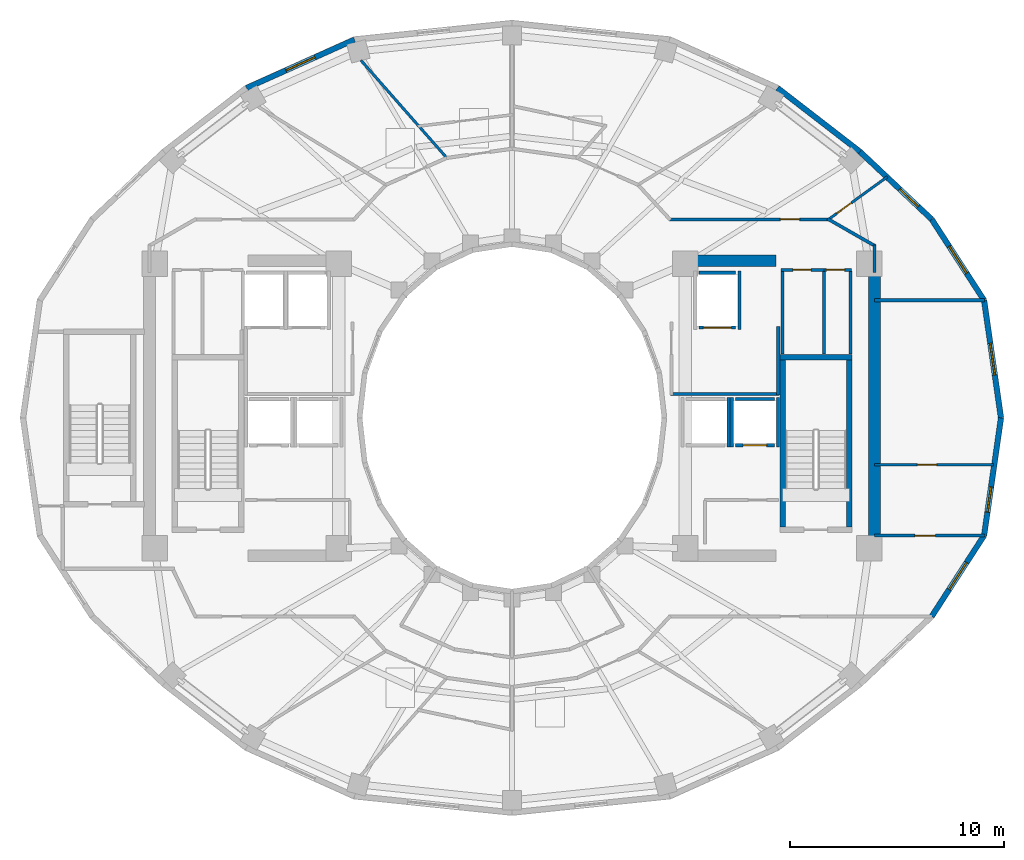
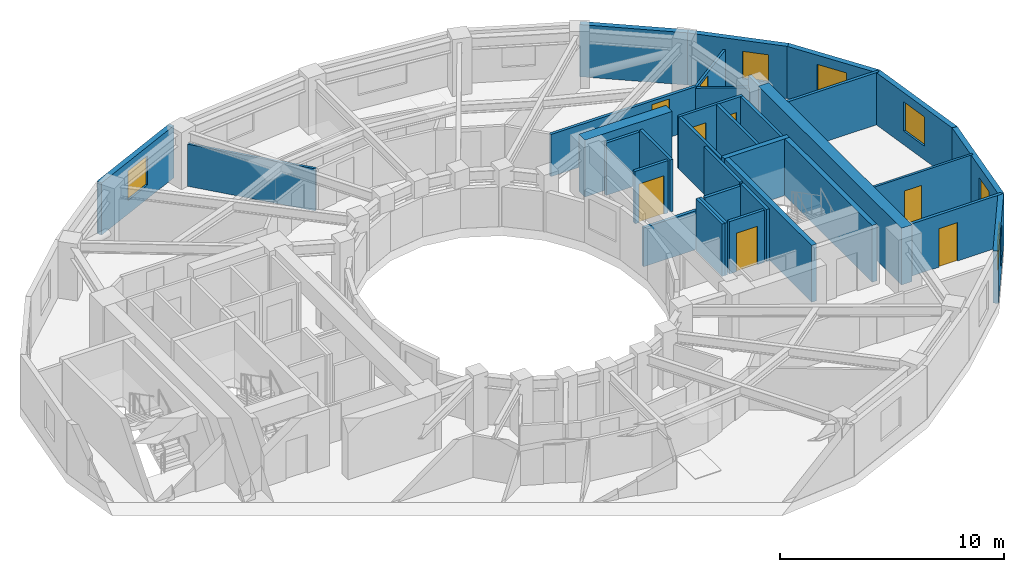
# One storey, part 6 of 9: 35 walls, 8 doors, 6 windows, 14 openings.
"""IFC4 building model written with IfcOpenShell, lengths in metres."""

from ifc_helpers import new_model, si_unit, direction, frame, frame_2d, origin, place, context, subcontext, project, spatial, rectangle, extrude, material, layer, layer_set, type_object, element, fill, save


model = new_model("IFC4")

# Units and contexts
model_context = context("Model", 3, precision=1e-05, world=origin(), true_north=direction((0.0, 1.0)))
body_context = subcontext(model_context, "Body", "Model", "MODEL_VIEW")
ifc_project = project(units=[si_unit("LENGTHUNIT", "METRE"), si_unit("AREAUNIT", "SQUARE_METRE"), si_unit("VOLUMEUNIT", "CUBIC_METRE"), si_unit("PLANEANGLEUNIT", "RADIAN"), si_unit("MASSUNIT", "GRAM", prefix="KILO")], contexts=[model_context])

# Site, building, storey
site_placement = place(None, origin())
site = spatial("IfcSite", under=ifc_project, at=site_placement, CompositionType="ELEMENT")
building_placement = place(site_placement, origin())
building = spatial("IfcBuilding", under=site, at=building_placement, Name="Solvane Sanctuary Tower", CompositionType="ELEMENT")
storey_placement = place(building_placement, frame((0.0, 0.0, 180.800048828125)))
storey = spatial("IfcBuildingStorey", under=building, at=storey_placement, Name="L55", CompositionType="ELEMENT", Elevation=180.800048828125)

# Walls
ifc_material_1 = material(Name="Concrete C50/60", Category="concrete")
ifc_layer_1 = layer(ifc_material_1, 0.550048828125, Name="Concrete C50/60")
ifc_layer_set_1 = layer_set([ifc_layer_1], Name="Concrete C50/60")
wall_type_1 = type_object("IfcWallType", Name="Wall W-CORE-550", PredefinedType="SHEAR", material=ifc_layer_set_1)
wall_1_placement = place(storey_placement, frame((48.949951171875, 17.050048828125, 0.0), z_axis=(0.0, 0.0, 1.0), x_axis=(0.0, 1.0, 0.0)))
element("IfcWall", 1, at=wall_1_placement, inside=storey, type_object=wall_type_1, Name="L55 Core Shear Wall EC-E", PredefinedType="SHEAR", context=body_context, shape_type="SweptSolid", body=[
    extrude(rectangle(XDim=12.800048828125, YDim=0.550048828125, at=frame_2d((6.39990234375, 0.0))), origin(), (0.0, 0.0, 1.0), 3.099853515625),
])
wall_2_placement = place(storey_placement, frame((39.85009765625, 30.35009765625, 0.0), z_axis=(0.0, 0.0, 1.0), x_axis=(1.0, 0.0, 0.0)))
element("IfcWall", 2, at=wall_2_placement, inside=storey, type_object=wall_type_1, Name="L55 Core Shear Wall EC-N", PredefinedType="SHEAR", context=body_context, shape_type="SweptSolid", body=[
    extrude(rectangle(XDim=4.5, YDim=0.550048828125, at=frame_2d((2.25, 0.0))), origin(), (0.0, 0.0, 1.0), 3.099853515625),
])
ifc_material_2 = material(Name="Acoustic Gypsum Partition Board")
ifc_layer_2 = layer(ifc_material_2, 0.14990234375, Name="Acoustic Gypsum Partition Board")
ifc_layer_set_2 = layer_set([ifc_layer_2], Name="Acoustic Gypsum Partition Board")
wall_type_2 = type_object("IfcWallType", Name="Wall W-CORR-150", PredefinedType="PARTITIONING", material=ifc_layer_set_2)
wall_3_placement = place(storey_placement, frame((39.39990234375, 24.1201171875, 0.0), z_axis=(0.0, 0.0, 1.0), x_axis=(1.0, 0.0, 0.0)))
element("IfcWall", 3, at=wall_3_placement, inside=storey, type_object=wall_type_2, Name="L55 East Firefighting Lobby South Wall", PredefinedType="PARTITIONING", context=body_context, shape_type="SweptSolid", body=[
    extrude(rectangle(XDim=5.080078125, YDim=0.14990234375, at=frame_2d((2.5400390625, 0.0))), origin(), (0.0, 0.0, 1.0), 2.119873046875),
])
wall_4_placement = place(storey_placement, frame((44.449951171875, 24.080078125, 0.0), z_axis=(0.0, 0.0, 1.0), x_axis=(0.0, 1.0, 0.0)))
element("IfcWall", 4, at=wall_4_placement, inside=storey, type_object=wall_type_2, Name="L55 East Firefighting Lobby East Wall", PredefinedType="PARTITIONING", context=body_context, shape_type="SweptSolid", body=[
    extrude(rectangle(XDim=3.199951171875, YDim=0.14990234375, at=frame_2d((1.60009765625, 0.0))), origin(), (0.0, 0.0, 1.0), 2.85498046875),
])

# Wall, opening, door
wall_5_placement = place(storey_placement, frame((48.949951171875, 17.4970703125, 0.0), z_axis=(0.0, 0.0, 1.0), x_axis=(1.0, 0.0, 0.0)))
wall_5 = element("IfcWall", 5, at=wall_5_placement, inside=storey, type_object=wall_type_2, Name="L55 East Shoulder South Wall", PredefinedType="PARTITIONING", context=body_context, shape_type="SweptSolid", body=[
    extrude(rectangle(XDim=5.14013671875, YDim=0.14990234375, at=frame_2d((2.570068359375, 0.0))), origin(), (0.0, 0.0, 1.0), 2.85498046875),
])
opening_1_placement = place(wall_5_placement, frame((1.888671875, 0.0, 0.0)))
opening_1 = element("IfcOpeningElement", 6, at=opening_1_placement, cuts=wall_5, Name="Opening D-L55-12", PredefinedType="OPENING", context=body_context, shape_type="SweptSolid", body=[
    extrude(rectangle(XDim=0.949951171875, YDim=2.10009765625, at=frame_2d((0.47509765625, 1.050048828125))), frame((0.0, 0.0849609375, 0.0), z_axis=(0.0, -1.0, 0.0), x_axis=(1.0, 0.0, 0.0)), (0.0, 0.0, 1.0), 0.169921875),
])
ifc_material_3 = material(Name="Engineered Tropical Hardwood", Category="wood")
door_type_1 = type_object("IfcDoorType", Name="Door D-ROOM-950", OperationType="NOTDEFINED", PredefinedType="DOOR", material=ifc_material_3)
door_1_placement = place(opening_1_placement, origin())
door_1 = element("IfcDoor", 7, at=door_1_placement, inside=storey, type_object=door_type_1, Name="L55 East Shoulder South Door", OperationType="SINGLE_SWING_RIGHT", OverallHeight=2.10009765625, OverallWidth=0.949951171875, PredefinedType="DOOR", context=body_context, shape_type="SweptSolid", body=[
    extrude(rectangle(XDim=0.949951171875, YDim=2.10009765625, at=frame_2d((0.47509765625, 1.050048828125))), frame((0.0, 0.02490234375, 0.0), z_axis=(0.0, -1.0, 0.0), x_axis=(1.0, 0.0, 0.0)), (0.0, 0.0, 1.0), 0.050048828125),
])
fill(opening_1, door_1)

# Walls
wall_6_placement = place(storey_placement, frame((48.949951171875, 28.5029296875, 0.0), z_axis=(0.0, 0.0, 1.0), x_axis=(1.0, 0.0, 0.0)))
element("IfcWall", 8, at=wall_6_placement, inside=storey, type_object=wall_type_2, Name="L55 East Shoulder North Wall", PredefinedType="PARTITIONING", context=body_context, shape_type="SweptSolid", body=[
    extrude(rectangle(XDim=5.14013671875, YDim=0.14990234375, at=frame_2d((2.570068359375, 0.0))), origin(), (0.0, 0.0, 1.0), 2.85498046875),
])
wall_7_placement = place(storey_placement, frame((48.949951171875, 29.800048828125, 0.0), z_axis=(0.0, 0.0, 1.0), x_axis=(0.0, 1.0, 0.0)))
element("IfcWall", 9, at=wall_7_placement, inside=storey, type_object=wall_type_2, Name="L55 NE Corner Closer 1", PredefinedType="PARTITIONING", context=body_context, shape_type="SweptSolid", body=[
    extrude(rectangle(XDim=1.2900390625, YDim=0.14990234375, at=frame_2d((0.64501953125, 0.0))), origin(), (0.0, 0.0, 1.0), 2.85498046875),
])

# Wall, opening, door
wall_8_placement = place(storey_placement, frame((39.330078125, 32.280029296875, 0.0), z_axis=(0.0, 0.0, 1.0), x_axis=(1.0, 0.0, 0.0)))
wall_8 = element("IfcWall", 10, at=wall_8_placement, inside=storey, type_object=wall_type_2, Name="L55 NE Corner Corridor Wall", PredefinedType="PARTITIONING", context=body_context, shape_type="SweptSolid", body=[
    extrude(rectangle(XDim=7.52001953125, YDim=0.14990234375, at=frame_2d((3.760009765625, 0.0))), origin(), (0.0, 0.0, 1.0), 2.299072265625),
])
opening_2_placement = place(wall_8_placement, frame((5.219970703125, 0.0, 0.0)))
opening_2 = element("IfcOpeningElement", 11, at=opening_2_placement, cuts=wall_8, Name="Opening D-L55-15", PredefinedType="OPENING", context=body_context, shape_type="SweptSolid", body=[
    extrude(rectangle(XDim=0.89990234375, YDim=2.10009765625, at=frame_2d((0.449951171875, 1.050048828125))), frame((0.0, 0.0849609375, 0.0), z_axis=(0.0, -1.0, 0.0), x_axis=(1.0, 0.0, 0.0)), (0.0, 0.0, 1.0), 0.169921875),
])
door_type_2 = type_object("IfcDoorType", Name="Door D-WET-900", OperationType="NOTDEFINED", PredefinedType="DOOR", material=ifc_material_3)
door_2_placement = place(opening_2_placement, origin())
door_2 = element("IfcDoor", 12, at=door_2_placement, inside=storey, type_object=door_type_2, Name="L55 NE Corner Salon Door", OperationType="SINGLE_SWING_LEFT", OverallHeight=2.10009765625, OverallWidth=0.89990234375, PredefinedType="DOOR", context=body_context, shape_type="SweptSolid", body=[
    extrude(rectangle(XDim=0.89990234375, YDim=2.10009765625, at=frame_2d((0.449951171875, 1.050048828125))), frame((0.0, 0.02490234375, 0.0), z_axis=(0.0, -1.0, 0.0), x_axis=(1.0, 0.0, 0.0)), (0.0, 0.0, 1.0), 0.050048828125),
])
fill(opening_2, door_2)

# Wall
wall_9_placement = place(storey_placement, frame((46.756591796875, 32.3046875, 0.0), z_axis=(0.0, 0.0, 1.0), x_axis=(0.867991349648, -0.496579315857, 0.0)))
element("IfcWall", 13, at=wall_9_placement, inside=storey, type_object=wall_type_2, Name="L55 NE Corner Wing Wall", PredefinedType="PARTITIONING", context=body_context, shape_type="SweptSolid", body=[
    extrude(rectangle(XDim=2.56689453125, YDim=0.14990234375, at=frame_2d((1.283447265625, 0.0))), origin(), (0.0, 0.0, 1.0), 2.219970703125),
])

# Wall, opening, window
ifc_material_4 = material(Name="Precast concrete C40/50", Category="concrete")
ifc_layer_3 = layer(ifc_material_4, 0.260009765625, Name="Precast concrete C40/50")
ifc_layer_set_3 = layer_set([ifc_layer_3], Name="Precast concrete C40/50")
wall_type_3 = type_object("IfcWallType", Name="Wall W-EXT-250", PredefinedType="STANDARD", material=ifc_layer_set_3)
wall_10_placement = place(storey_placement, frame((54.860107421875, 23.0, 0.0), z_axis=(0.0, 0.0, 1.0), x_axis=(-0.142227632286, 0.989833976288, 0.0)))
wall_10 = element("IfcWall", 14, at=wall_10_placement, inside=storey, type_object=wall_type_3, Name="L55 Ceramic-Printed Facade Wall 00", PredefinedType="STANDARD", context=body_context, shape_type="SweptSolid", body=[
    extrude(rectangle(XDim=5.552978515625, YDim=0.260009765625, at=frame_2d((2.7763671875, 0.0))), origin(), (0.0, 0.0, 1.0), 2.849853515625),
])
opening_3_placement = place(wall_10_placement, frame((2.026611328125, 0.0, 0.75)))
opening_3 = element("IfcOpeningElement", 15, at=opening_3_placement, cuts=wall_10, Name="Opening WN-OPER-1500", PredefinedType="OPENING", context=body_context, shape_type="SweptSolid", body=[
    extrude(rectangle(XDim=1.5, YDim=1.60009765625, at=frame_2d((0.75, 0.800048828125))), frame((0.0, 0.139892578125, 0.0), z_axis=(0.0, -1.0, 0.0), x_axis=(1.0, 0.0, 0.0)), (0.0, 0.0, 1.0), 0.280029296875),
])
ifc_material_5 = material(Name="Dark Ceramic-Fritted Low-E Glass", Category="glass")
window_type_1 = type_object("IfcWindowType", Name="Window WN-OPER-1500", PartitioningType="SINGLE_PANEL", PredefinedType="WINDOW", material=ifc_material_5)
window_1_placement = place(opening_3_placement, origin())
window_1 = element("IfcWindow", 16, at=window_1_placement, inside=storey, type_object=window_type_1, Name="L55 Operable Facade Window 00", OverallHeight=1.60009765625, OverallWidth=1.5, PartitioningType="SINGLE_PANEL", PredefinedType="WINDOW", context=body_context, shape_type="SweptSolid", body=[
    extrude(rectangle(XDim=1.5, YDim=1.60009765625, at=frame_2d((0.75, 0.800048828125))), frame((0.0, 0.030029296875, 0.0), z_axis=(0.0, -1.0, 0.0), x_axis=(1.0, 0.0, 0.0)), (0.0, 0.0, 1.0), 0.06005859375),
])
fill(opening_3, window_1)

wall_11_placement = place(storey_placement, frame((54.0703125, 28.49658203125, 0.0), z_axis=(0.0, 0.0, 1.0), x_axis=(-0.543358984534, 0.839500454989, 0.0)))
wall_11 = element("IfcWall", 17, at=wall_11_placement, inside=storey, type_object=wall_type_3, Name="L55 Ceramic-Printed Facade Wall 01", PredefinedType="STANDARD", context=body_context, shape_type="SweptSolid", body=[
    extrude(rectangle(XDim=4.51123046875, YDim=0.260009765625, at=frame_2d((2.255615234375, 0.0))), origin(), (0.0, 0.0, 1.0), 2.849853515625),
])
opening_4_placement = place(wall_11_placement, frame((1.505615234375, 0.0, 0.75)))
opening_4 = element("IfcOpeningElement", 18, at=opening_4_placement, cuts=wall_11, Name="Opening WN-OPER-1500", PredefinedType="OPENING", context=body_context, shape_type="SweptSolid", body=[
    extrude(rectangle(XDim=1.5, YDim=1.60009765625, at=frame_2d((0.75, 0.800048828125))), frame((0.0, 0.139892578125, 0.0), z_axis=(0.0, -1.0, 0.0), x_axis=(1.0, 0.0, 0.0)), (0.0, 0.0, 1.0), 0.280029296875),
])
window_2_placement = place(opening_4_placement, origin())
window_2 = element("IfcWindow", 19, at=window_2_placement, inside=storey, type_object=window_type_1, Name="L55 Operable Facade Window 01", OverallHeight=1.60009765625, OverallWidth=1.5, PartitioningType="SINGLE_PANEL", PredefinedType="WINDOW", context=body_context, shape_type="SweptSolid", body=[
    extrude(rectangle(XDim=1.5, YDim=1.60009765625, at=frame_2d((0.75, 0.800048828125))), frame((0.0, 0.030029296875, 0.0), z_axis=(0.0, -1.0, 0.0), x_axis=(1.0, 0.0, 0.0)), (0.0, 0.0, 1.0), 0.06005859375),
])
fill(opening_4, window_2)

wall_12_placement = place(storey_placement, frame((51.619140625, 32.28369140625, 0.0), z_axis=(0.0, 0.0, 1.0), x_axis=(-0.727667301037, 0.68593024354, 0.0)))
wall_12 = element("IfcWall", 20, at=wall_12_placement, inside=storey, type_object=wall_type_3, Name="L55 Ceramic-Printed Facade Wall 02", PredefinedType="STANDARD", context=body_context, shape_type="SweptSolid", body=[
    extrude(rectangle(XDim=4.603515625, YDim=0.260009765625, at=frame_2d((2.3017578125, 0.0))), origin(), (0.0, 0.0, 1.0), 2.849853515625),
])
opening_5_placement = place(wall_12_placement, frame((0.8623046875, 0.0, 0.75)))
opening_5 = element("IfcOpeningElement", 21, at=opening_5_placement, cuts=wall_12, Name="Opening WN-OPER-1200", PredefinedType="OPENING", context=body_context, shape_type="SweptSolid", body=[
    extrude(rectangle(XDim=1.199951171875, YDim=1.5, at=frame_2d((0.60009765625, 0.75))), frame((0.0, 0.139892578125, 0.0), z_axis=(0.0, -1.0, 0.0), x_axis=(1.0, 0.0, 0.0)), (0.0, 0.0, 1.0), 0.280029296875),
])
window_type_2 = type_object("IfcWindowType", Name="Window WN-OPER-1200", PartitioningType="SINGLE_PANEL", PredefinedType="WINDOW", material=ifc_material_5)
window_3_placement = place(opening_5_placement, origin())
window_3 = element("IfcWindow", 22, at=window_3_placement, inside=storey, type_object=window_type_2, Name="L55 Operable Facade Window 02", OverallHeight=1.5, OverallWidth=1.199951171875, PartitioningType="SINGLE_PANEL", PredefinedType="WINDOW", context=body_context, shape_type="SweptSolid", body=[
    extrude(rectangle(XDim=1.199951171875, YDim=1.5, at=frame_2d((0.60009765625, 0.75))), frame((0.0, 0.030029296875, 0.0), z_axis=(0.0, -1.0, 0.0), x_axis=(1.0, 0.0, 0.0)), (0.0, 0.0, 1.0), 0.06005859375),
])
fill(opening_5, window_3)

# Wall
wall_13_placement = place(storey_placement, frame((48.269287109375, 35.44140625, 0.0), z_axis=(0.0, 0.0, 1.0), x_axis=(-0.791460185804, 0.611220724687, 0.0)))
element("IfcWall", 23, at=wall_13_placement, inside=storey, type_object=wall_type_3, Name="L55 Ceramic-Printed Facade Wall 03", PredefinedType="STANDARD", context=body_context, shape_type="SweptSolid", body=[
    extrude(rectangle(XDim=4.872314453125, YDim=0.260009765625, at=frame_2d((2.43603515625, 0.0))), origin(), (0.0, 0.0, 1.0), 2.849853515625),
])

# Wall, opening, window
wall_14_placement = place(storey_placement, frame((24.634765625, 40.6845703125, 0.0), z_axis=(0.0, 0.0, 1.0), x_axis=(-0.912353637112, -0.409403029847, 0.0)))
wall_14 = element("IfcWall", 24, at=wall_14_placement, inside=storey, type_object=wall_type_3, Name="L55 Ceramic-Printed Facade Wall 07", PredefinedType="STANDARD", context=body_context, shape_type="SweptSolid", body=[
    extrude(rectangle(XDim=5.53271484375, YDim=0.260009765625, at=frame_2d((2.766357421875, 0.0))), origin(), (0.0, 0.0, 1.0), 2.849853515625),
])
opening_6_placement = place(wall_14_placement, frame((2.016357421875, 0.0, 0.75)))
opening_6 = element("IfcOpeningElement", 25, at=opening_6_placement, cuts=wall_14, Name="Opening WN-OPER-1500", PredefinedType="OPENING", context=body_context, shape_type="SweptSolid", body=[
    extrude(rectangle(XDim=1.5, YDim=1.60009765625, at=frame_2d((0.75, 0.800048828125))), frame((0.0, 0.139892578125, 0.0), z_axis=(0.0, -1.0, 0.0), x_axis=(1.0, 0.0, 0.0)), (0.0, 0.0, 1.0), 0.280029296875),
])
window_4_placement = place(opening_6_placement, origin())
window_4 = element("IfcWindow", 26, at=window_4_placement, inside=storey, type_object=window_type_1, Name="L55 Operable Facade Window 07", OverallHeight=1.60009765625, OverallWidth=1.5, PartitioningType="SINGLE_PANEL", PredefinedType="WINDOW", context=body_context, shape_type="SweptSolid", body=[
    extrude(rectangle(XDim=1.5, YDim=1.60009765625, at=frame_2d((0.75, 0.800048828125))), frame((0.0, 0.030029296875, 0.0), z_axis=(0.0, -1.0, 0.0), x_axis=(1.0, 0.0, 0.0)), (0.0, 0.0, 1.0), 0.06005859375),
])
fill(opening_6, window_4)

wall_15_placement = place(storey_placement, frame((51.619140625, 13.71630859375, 0.0), z_axis=(0.0, 0.0, 1.0), x_axis=(0.543358984534, 0.839500454989, 0.0)))
wall_15 = element("IfcWall", 27, at=wall_15_placement, inside=storey, type_object=wall_type_3, Name="L55 Ceramic-Printed Facade Wall 22", PredefinedType="STANDARD", context=body_context, shape_type="SweptSolid", body=[
    extrude(rectangle(XDim=4.51123046875, YDim=0.260009765625, at=frame_2d((2.255615234375, 0.0))), origin(), (0.0, 0.0, 1.0), 2.849853515625),
])
opening_7_placement = place(wall_15_placement, frame((1.505615234375, 0.0, 0.75)))
opening_7 = element("IfcOpeningElement", 28, at=opening_7_placement, cuts=wall_15, Name="Opening WN-OPER-1500", PredefinedType="OPENING", context=body_context, shape_type="SweptSolid", body=[
    extrude(rectangle(XDim=1.5, YDim=1.60009765625, at=frame_2d((0.75, 0.800048828125))), frame((0.0, 0.139892578125, 0.0), z_axis=(0.0, -1.0, 0.0), x_axis=(1.0, 0.0, 0.0)), (0.0, 0.0, 1.0), 0.280029296875),
])
window_5_placement = place(opening_7_placement, origin())
window_5 = element("IfcWindow", 29, at=window_5_placement, inside=storey, type_object=window_type_1, Name="L55 Operable Facade Window 22", OverallHeight=1.60009765625, OverallWidth=1.5, PartitioningType="SINGLE_PANEL", PredefinedType="WINDOW", context=body_context, shape_type="SweptSolid", body=[
    extrude(rectangle(XDim=1.5, YDim=1.60009765625, at=frame_2d((0.75, 0.800048828125))), frame((0.0, 0.030029296875, 0.0), z_axis=(0.0, -1.0, 0.0), x_axis=(1.0, 0.0, 0.0)), (0.0, 0.0, 1.0), 0.06005859375),
])
fill(opening_7, window_5)

wall_16_placement = place(storey_placement, frame((54.0703125, 17.50341796875, 0.0), z_axis=(0.0, 0.0, 1.0), x_axis=(0.142227632286, 0.989833976288, 0.0)))
wall_16 = element("IfcWall", 30, at=wall_16_placement, inside=storey, type_object=wall_type_3, Name="L55 Ceramic-Printed Facade Wall 23", PredefinedType="STANDARD", context=body_context, shape_type="SweptSolid", body=[
    extrude(rectangle(XDim=5.552978515625, YDim=0.260009765625, at=frame_2d((2.7763671875, 0.0))), origin(), (0.0, 0.0, 1.0), 2.849853515625),
])
opening_8_placement = place(wall_16_placement, frame((1.090087890625, 0.0, 0.75)))
opening_8 = element("IfcOpeningElement", 31, at=opening_8_placement, cuts=wall_16, Name="Opening WN-OPER-1200", PredefinedType="OPENING", context=body_context, shape_type="SweptSolid", body=[
    extrude(rectangle(XDim=1.199951171875, YDim=1.5, at=frame_2d((0.60009765625, 0.75))), frame((0.0, 0.139892578125, 0.0), z_axis=(0.0, -1.0, 0.0), x_axis=(1.0, 0.0, 0.0)), (0.0, 0.0, 1.0), 0.280029296875),
])
window_6_placement = place(opening_8_placement, origin())
window_6 = element("IfcWindow", 32, at=window_6_placement, inside=storey, type_object=window_type_2, Name="L55 Operable Facade Window 23", OverallHeight=1.5, OverallWidth=1.199951171875, PartitioningType="SINGLE_PANEL", PredefinedType="WINDOW", context=body_context, shape_type="SweptSolid", body=[
    extrude(rectangle(XDim=1.199951171875, YDim=1.5, at=frame_2d((0.60009765625, 0.75))), frame((0.0, 0.030029296875, 0.0), z_axis=(0.0, -1.0, 0.0), x_axis=(1.0, 0.0, 0.0)), (0.0, 0.0, 1.0), 0.06005859375),
])
fill(opening_8, window_6)

# Wall, opening, door
ifc_layer_4 = layer(ifc_material_2, 0.1201171875, Name="Acoustic Gypsum Partition Board")
ifc_layer_set_4 = layer_set([ifc_layer_4], Name="Acoustic Gypsum Partition Board")
wall_type_4 = type_object("IfcWallType", Name="Wall W-MOV-100", PredefinedType="MOVABLE", material=ifc_layer_set_4)
wall_17_placement = place(storey_placement, frame((48.949951171875, 20.800048828125, 0.0), z_axis=(0.0, 0.0, 1.0), x_axis=(1.0, 0.0, 0.0)))
wall_17 = element("IfcWall", 33, at=wall_17_placement, inside=storey, type_object=wall_type_4, Name="L55 East Suite Partition", PredefinedType="MOVABLE", context=body_context, shape_type="SweptSolid", body=[
    extrude(rectangle(XDim=5.55419921875, YDim=0.1201171875, at=frame_2d((2.777099609375, 0.0))), origin(), (0.0, 0.0, 1.0), 2.85498046875),
])
opening_9_placement = place(wall_17_placement, frame((2.0, 0.0, 0.0)))
opening_9 = element("IfcOpeningElement", 34, at=opening_9_placement, cuts=wall_17, Name="Opening D-L55-13", PredefinedType="OPENING", context=body_context, shape_type="SweptSolid", body=[
    extrude(rectangle(XDim=0.89990234375, YDim=2.10009765625, at=frame_2d((0.449951171875, 1.050048828125))), frame((0.0, 0.070068359375, 0.0), z_axis=(0.0, -1.0, 0.0), x_axis=(1.0, 0.0, 0.0)), (0.0, 0.0, 1.0), 0.14013671875),
])
door_3_placement = place(opening_9_placement, origin())
door_3 = element("IfcDoor", 35, at=door_3_placement, inside=storey, type_object=door_type_2, Name="L55 East Suite Internal Door", OperationType="SINGLE_SWING_LEFT", OverallHeight=2.10009765625, OverallWidth=0.89990234375, PredefinedType="DOOR", context=body_context, shape_type="SweptSolid", body=[
    extrude(rectangle(XDim=0.89990234375, YDim=2.10009765625, at=frame_2d((0.449951171875, 1.050048828125))), frame((0.0, 0.02490234375, 0.0), z_axis=(0.0, -1.0, 0.0), x_axis=(1.0, 0.0, 0.0)), (0.0, 0.0, 1.0), 0.050048828125),
])
fill(opening_9, door_3)

wall_18_placement = place(storey_placement, frame((46.759521484375, 32.250732421875, 0.0), z_axis=(0.0, 0.0, 1.0), x_axis=(0.80983526768, 0.58665734396, 0.0)))
wall_18 = element("IfcWall", 36, at=wall_18_placement, inside=storey, type_object=wall_type_4, Name="L55 NE Corner Suite Partition", PredefinedType="MOVABLE", context=body_context, shape_type="SweptSolid", body=[
    extrude(rectangle(XDim=3.443603515625, YDim=0.1201171875, at=frame_2d((1.7216796875, 0.0))), origin(), (0.0, 0.0, 1.0), 2.219970703125),
])
opening_10_placement = place(wall_18_placement, frame((0.52197265625, 0.0, 0.0)))
opening_10 = element("IfcOpeningElement", 37, at=opening_10_placement, cuts=wall_18, Name="Opening D-L55-14", PredefinedType="OPENING", context=body_context, shape_type="SweptSolid", body=[
    extrude(rectangle(XDim=0.85009765625, YDim=2.050048828125, at=frame_2d((0.425048828125, 1.02490234375))), frame((0.0, 0.070068359375, 0.0), z_axis=(0.0, -1.0, 0.0), x_axis=(1.0, 0.0, 0.0)), (0.0, 0.0, 1.0), 0.14013671875),
])
ifc_material_6 = material(Name="Architectural Stainless Steel 316", Category="steel")
door_type_3 = type_object("IfcDoorType", Name="Door D-RISER", OperationType="NOTDEFINED", PredefinedType="DOOR", material=ifc_material_6)
door_4_placement = place(opening_10_placement, origin())
door_4 = element("IfcDoor", 38, at=door_4_placement, inside=storey, type_object=door_type_3, Name="L55 NE Corner Suite Door", OperationType="SINGLE_SWING_RIGHT", OverallHeight=2.050048828125, OverallWidth=0.85009765625, PredefinedType="DOOR", context=body_context, shape_type="SweptSolid", body=[
    extrude(rectangle(XDim=0.85009765625, YDim=2.050048828125, at=frame_2d((0.425048828125, 1.02490234375))), frame((0.0, 0.02490234375, 0.0), z_axis=(0.0, -1.0, 0.0), x_axis=(1.0, 0.0, 0.0)), (0.0, 0.0, 1.0), 0.050048828125),
])
fill(opening_10, door_4)

# Wall
ifc_layer_5 = layer(ifc_material_2, 0.125, Name="Acoustic Gypsum Partition Board")
ifc_layer_set_5 = layer_set([ifc_layer_5], Name="Acoustic Gypsum Partition Board")
wall_type_5 = type_object("IfcWallType", Name="Wall W-PART-125", PredefinedType="PARTITIONING", material=ifc_layer_set_5)
wall_19_placement = place(storey_placement, frame((28.914306640625, 35.194580078125, 0.0), z_axis=(0.0, 0.0, 1.0), x_axis=(-0.660581320981, 0.750754499401, 0.0)))
element("IfcWall", 39, at=wall_19_placement, inside=storey, type_object=wall_type_5, Name="L55 Radial Compartment Wall 105", PredefinedType="PARTITIONING", context=body_context, shape_type="SweptSolid", body=[
    extrude(rectangle(XDim=6.02685546875, YDim=0.125, at=frame_2d((3.013427734375, 0.0))), origin(), (0.0, 0.0, 1.0), 2.299072265625),
])

# Wall, opening, door
ifc_layer_6 = layer(ifc_material_1, 0.14990234375, Name="Concrete C50/60")
ifc_layer_set_6 = layer_set([ifc_layer_6], Name="Concrete C50/60")
wall_type_6 = type_object("IfcWallType", Name="Wall W-SHAFT-150", PredefinedType="SOLIDWALL", material=ifc_layer_set_6)
wall_20_placement = place(storey_placement, frame((42.43994140625, 21.719970703125, 0.0), z_axis=(0.0, 0.0, 1.0), x_axis=(1.0, 0.0, 0.0)))
wall_20 = element("IfcWall", 40, at=wall_20_placement, inside=storey, type_object=wall_type_6, Name="L55 PM-2 Lift Shaft Wall F", PredefinedType="SOLIDWALL", context=body_context, shape_type="SweptSolid", body=[
    extrude(rectangle(XDim=1.820068359375, YDim=0.14990234375, at=frame_2d((0.91015625, 0.0))), origin(), (0.0, 0.0, 1.0), 2.85498046875),
])
opening_11_placement = place(wall_20_placement, frame((0.360107421875, 0.0, 0.0)))
opening_11 = element("IfcOpeningElement", 41, at=opening_11_placement, cuts=wall_20, Name="Opening LD-L55-02", PredefinedType="OPENING", context=body_context, shape_type="SweptSolid", body=[
    extrude(rectangle(XDim=1.10009765625, YDim=2.10009765625, at=frame_2d((0.550048828125, 1.050048828125))), frame((0.0, 0.0849609375, 0.0), z_axis=(0.0, -1.0, 0.0), x_axis=(1.0, 0.0, 0.0)), (0.0, 0.0, 1.0), 0.169921875),
])
door_type_4 = type_object("IfcDoorType", Name="Door LD-PASS-1100", OperationType="NOTDEFINED", PredefinedType="DOOR", material=ifc_material_6)
door_5_placement = place(opening_11_placement, origin())
door_5 = element("IfcDoor", 42, at=door_5_placement, inside=storey, type_object=door_type_4, Name="L55 PM-2 Lift Landing Door", OperationType="DOUBLE_DOOR_SLIDING", OverallHeight=2.10009765625, OverallWidth=1.10009765625, PredefinedType="DOOR", context=body_context, shape_type="SweptSolid", body=[
    extrude(rectangle(XDim=1.10009765625, YDim=2.10009765625, at=frame_2d((0.550048828125, 1.050048828125))), frame((0.0, 0.02490234375, 0.0), z_axis=(0.0, -1.0, 0.0), x_axis=(1.0, 0.0, 0.0)), (0.0, 0.0, 1.0), 0.050048828125),
])
fill(opening_11, door_5)

# Walls
wall_21_placement = place(storey_placement, frame((42.43994140625, 23.8798828125, 0.0), z_axis=(0.0, 0.0, 1.0), x_axis=(1.0, 0.0, 0.0)))
element("IfcWall", 43, at=wall_21_placement, inside=storey, type_object=wall_type_6, Name="L55 PM-2 Lift Shaft Wall B", PredefinedType="SOLIDWALL", context=body_context, shape_type="SweptSolid", body=[
    extrude(rectangle(XDim=1.820068359375, YDim=0.14990234375, at=frame_2d((0.91015625, 0.0))), origin(), (0.0, 0.0, 1.0), 2.85498046875),
])
for number, where, z_axis, x_axis, name in (
    (44, (42.27001953125, 21.639892578125, 0.0), (0.0, 0.0, 1.0), (0.0, 1.0, 0.0), "L55 PM-2 Lift Shaft Wall S1"),
    (45, (44.429931640625, 21.639892578125, 0.0), (0.0, 0.0, 1.0), (0.0, 1.0, 0.0), "L55 PM-2 Lift Shaft Wall S2"),
    (46, (42.1298828125, 21.639892578125, 0.0), (0.0, 0.0, 1.0), (0.0, 1.0, 0.0), "L55 PH-2 Lift Shaft Wall S2"),
):
    element("IfcWall", number, at=place(storey_placement, frame(where, z_axis=z_axis, x_axis=x_axis)), inside=storey, type_object=wall_type_6, Name=name, PredefinedType="SOLIDWALL", context=body_context, shape_type="SweptSolid", body=[
        extrude(rectangle(XDim=2.320068359375, YDim=0.14990234375, at=frame_2d((1.16015625, 0.0))), origin(), (0.0, 0.0, 1.0), 2.85498046875),
    ])

# Wall, opening, door
wall_22_placement = place(storey_placement, frame((40.739990234375, 27.219970703125, 0.0), z_axis=(0.0, 0.0, 1.0), x_axis=(1.0, 0.0, 0.0)))
wall_22 = element("IfcWall", 47, at=wall_22_placement, inside=storey, type_object=wall_type_6, Name="L55 FFL-2 Lift Shaft Wall F", PredefinedType="SOLIDWALL", context=body_context, shape_type="SweptSolid", body=[
    extrude(rectangle(XDim=1.719970703125, YDim=0.14990234375, at=frame_2d((0.85986328125, 0.0))), origin(), (0.0, 0.0, 1.0), 2.85498046875),
])
opening_12_placement = place(wall_22_placement, frame((0.2099609375, 0.0, 0.0)))
opening_12 = element("IfcOpeningElement", 48, at=opening_12_placement, cuts=wall_22, Name="Opening LD-L55-05", PredefinedType="OPENING", context=body_context, shape_type="SweptSolid", body=[
    extrude(rectangle(XDim=1.300048828125, YDim=2.10009765625, at=frame_2d((0.64990234375, 1.050048828125))), frame((0.0, 0.0849609375, 0.0), z_axis=(0.0, -1.0, 0.0), x_axis=(1.0, 0.0, 0.0)), (0.0, 0.0, 1.0), 0.169921875),
])
door_type_5 = type_object("IfcDoorType", Name="Door LD-FFL-1300", OperationType="NOTDEFINED", PredefinedType="DOOR", material=ifc_material_6)
door_6_placement = place(opening_12_placement, origin())
door_6 = element("IfcDoor", 49, at=door_6_placement, inside=storey, type_object=door_type_5, Name="L55 FFL-2 Lift Landing Door", OperationType="DOUBLE_DOOR_SLIDING", OverallHeight=2.10009765625, OverallWidth=1.300048828125, PredefinedType="DOOR", context=body_context, shape_type="SweptSolid", body=[
    extrude(rectangle(XDim=1.300048828125, YDim=2.10009765625, at=frame_2d((0.64990234375, 1.050048828125))), frame((0.0, 0.02490234375, 0.0), z_axis=(0.0, -1.0, 0.0), x_axis=(1.0, 0.0, 0.0)), (0.0, 0.0, 1.0), 0.050048828125),
])
fill(opening_12, door_6)

# Walls
wall_23_placement = place(storey_placement, frame((40.739990234375, 29.780029296875, 0.0), z_axis=(0.0, 0.0, 1.0), x_axis=(1.0, 0.0, 0.0)))
element("IfcWall", 50, at=wall_23_placement, inside=storey, type_object=wall_type_6, Name="L55 FFL-2 Lift Shaft Wall B", PredefinedType="SOLIDWALL", context=body_context, shape_type="SweptSolid", body=[
    extrude(rectangle(XDim=1.719970703125, YDim=0.14990234375, at=frame_2d((0.85986328125, 0.0))), origin(), (0.0, 0.0, 1.0), 2.85498046875),
])
wall_24_placement = place(storey_placement, frame((42.6298828125, 27.139892578125, 0.0), z_axis=(0.0, 0.0, 1.0), x_axis=(0.0, 1.0, 0.0)))
element("IfcWall", 51, at=wall_24_placement, inside=storey, type_object=wall_type_6, Name="L55 FFL-2 Lift Shaft Wall S2", PredefinedType="SOLIDWALL", context=body_context, shape_type="SweptSolid", body=[
    extrude(rectangle(XDim=2.72021484375, YDim=0.14990234375, at=frame_2d((1.360107421875, 0.0))), origin(), (0.0, 0.0, 1.0), 2.85498046875),
])
ifc_layer_7 = layer(ifc_material_1, 0.25, Name="Concrete C50/60")
ifc_layer_set_7 = layer_set([ifc_layer_7], Name="Concrete C50/60")
wall_type_7 = type_object("IfcWallType", Name="Wall W-SHAFT-250", PredefinedType="SOLIDWALL", material=ifc_layer_set_7)
wall_25_placement = place(storey_placement, frame((44.52490234375, 25.830078125, 0.0), z_axis=(0.0, 0.0, 1.0), x_axis=(1.0, 0.0, 0.0)))
element("IfcWall", 52, at=wall_25_placement, inside=storey, type_object=wall_type_7, Name="L55 ST-2 Load-Bearing Shaft Wall N", PredefinedType="SOLIDWALL", context=body_context, shape_type="SweptSolid", body=[
    extrude(rectangle(XDim=3.3701171875, YDim=0.25, at=frame_2d((1.68505859375, 0.0))), origin(), (0.0, 0.0, 1.0), 3.099853515625),
])
for number, where, z_axis, x_axis, name in (
    (53, (44.64990234375, 17.89501953125, 0.0), (0.0, 0.0, 1.0), (0.0, 1.0, 0.0), "L55 ST-2 Load-Bearing Shaft Wall W"),
    (54, (47.77001953125, 17.89501953125, 0.0), (0.0, 0.0, 1.0), (0.0, 1.0, 0.0), "L55 ST-2 Load-Bearing Shaft Wall E"),
):
    element("IfcWall", number, at=place(storey_placement, frame(where, z_axis=z_axis, x_axis=x_axis)), inside=storey, type_object=wall_type_7, Name=name, PredefinedType="SOLIDWALL", context=body_context, shape_type="SweptSolid", body=[
        extrude(rectangle(XDim=7.81005859375, YDim=0.25, at=frame_2d((3.905029296875, 0.0))), origin(), (0.0, 0.0, 1.0), 3.099853515625),
    ])

# Wall, opening, door
ifc_layer_8 = layer(ifc_material_2, 0.139892578125, Name="Acoustic Gypsum Partition Board")
ifc_layer_set_8 = layer_set([ifc_layer_8], Name="Acoustic Gypsum Partition Board")
wall_type_8 = type_object("IfcWallType", Name="Wall W-WET-140", PredefinedType="PLUMBINGWALL", material=ifc_layer_set_8)
wall_26_placement = place(storey_placement, frame((44.580078125, 29.919921875, 0.0), z_axis=(0.0, 0.0, 1.0), x_axis=(1.0, 0.0, 0.0)))
wall_26 = element("IfcWall", 55, at=wall_26_placement, inside=storey, type_object=wall_type_8, Name="L55 Core Service Front Wall KE1", PredefinedType="PLUMBINGWALL", context=body_context, shape_type="SweptSolid", body=[
    extrude(rectangle(XDim=2.0, YDim=0.139892578125, at=frame_2d((1.0, 0.0))), origin(), (0.0, 0.0, 1.0), 2.85498046875),
])
opening_13_placement = place(wall_26_placement, frame((0.550048828125, 0.0, 0.0)))
opening_13 = element("IfcOpeningElement", 56, at=opening_13_placement, cuts=wall_26, Name="Opening D-L55-10", PredefinedType="OPENING", context=body_context, shape_type="SweptSolid", body=[
    extrude(rectangle(XDim=0.85009765625, YDim=2.050048828125, at=frame_2d((0.425048828125, 1.02490234375))), frame((0.0, 0.079833984375, 0.0), z_axis=(0.0, -1.0, 0.0), x_axis=(1.0, 0.0, 0.0)), (0.0, 0.0, 1.0), 0.159912109375),
])
door_7_placement = place(opening_13_placement, origin())
door_7 = element("IfcDoor", 57, at=door_7_placement, inside=storey, type_object=door_type_3, Name="L55 Core Service Room Door KE1-1", OperationType="SINGLE_SWING_RIGHT", OverallHeight=2.050048828125, OverallWidth=0.85009765625, PredefinedType="DOOR", context=body_context, shape_type="SweptSolid", body=[
    extrude(rectangle(XDim=0.85009765625, YDim=2.050048828125, at=frame_2d((0.425048828125, 1.02490234375))), frame((0.0, 0.02490234375, 0.0), z_axis=(0.0, -1.0, 0.0), x_axis=(1.0, 0.0, 0.0)), (0.0, 0.0, 1.0), 0.050048828125),
])
fill(opening_13, door_7)

# Walls
for number, where, z_axis, x_axis, name in (
    (58, (44.639892578125, 25.97998046875, 0.0), (0.0, 0.0, 1.0), (0.0, 1.0, 0.0), "L55 Core Service Side Wall KE1-1"),
    (59, (46.580078125, 25.97998046875, 0.0), (0.0, 0.0, 1.0), (0.0, 1.0, 0.0), "L55 Core Service Side Wall KE1-2"),
):
    element("IfcWall", number, at=place(storey_placement, frame(where, z_axis=z_axis, x_axis=x_axis)), inside=storey, type_object=wall_type_8, Name=name, PredefinedType="PLUMBINGWALL", context=body_context, shape_type="SweptSolid", body=[
        extrude(rectangle(XDim=3.880126953125, YDim=0.139892578125, at=frame_2d((1.93994140625, 0.0))), origin(), (0.0, 0.0, 1.0), 2.85498046875),
    ])

# Wall, opening, door
wall_27_placement = place(storey_placement, frame((46.580078125, 29.919921875, 0.0), z_axis=(0.0, 0.0, 1.0), x_axis=(1.0, 0.0, 0.0)))
wall_27 = element("IfcWall", 60, at=wall_27_placement, inside=storey, type_object=wall_type_8, Name="L55 Core Service Front Wall KE2", PredefinedType="PLUMBINGWALL", context=body_context, shape_type="SweptSolid", body=[
    extrude(rectangle(XDim=1.2998046875, YDim=0.139892578125, at=frame_2d((0.64990234375, 0.0))), origin(), (0.0, 0.0, 1.0), 2.85498046875),
])
opening_14_placement = place(wall_27_placement, frame((0.1201171875, 0.0, 0.0)))
opening_14 = element("IfcOpeningElement", 61, at=opening_14_placement, cuts=wall_27, Name="Opening D-L55-11", PredefinedType="OPENING", context=body_context, shape_type="SweptSolid", body=[
    extrude(rectangle(XDim=0.85009765625, YDim=2.050048828125, at=frame_2d((0.425048828125, 1.02490234375))), frame((0.0, 0.079833984375, 0.0), z_axis=(0.0, -1.0, 0.0), x_axis=(1.0, 0.0, 0.0)), (0.0, 0.0, 1.0), 0.159912109375),
])
door_8_placement = place(opening_14_placement, origin())
door_8 = element("IfcDoor", 62, at=door_8_placement, inside=storey, type_object=door_type_3, Name="L55 Core Service Room Door KE2-1", OperationType="SINGLE_SWING_LEFT", OverallHeight=2.050048828125, OverallWidth=0.85009765625, PredefinedType="DOOR", context=body_context, shape_type="SweptSolid", body=[
    extrude(rectangle(XDim=0.85009765625, YDim=2.050048828125, at=frame_2d((0.425048828125, 1.02490234375))), frame((0.0, 0.02490234375, 0.0), z_axis=(0.0, -1.0, 0.0), x_axis=(1.0, 0.0, 0.0)), (0.0, 0.0, 1.0), 0.050048828125),
])
fill(opening_14, door_8)

# Wall
wall_28_placement = place(storey_placement, frame((47.820068359375, 25.97998046875, 0.0), z_axis=(0.0, 0.0, 1.0), x_axis=(0.0, 1.0, 0.0)))
element("IfcWall", 63, at=wall_28_placement, inside=storey, type_object=wall_type_8, Name="L55 Core Service Side Wall KE2-1", PredefinedType="PLUMBINGWALL", context=body_context, shape_type="SweptSolid", body=[
    extrude(rectangle(XDim=3.880126953125, YDim=0.139892578125, at=frame_2d((1.93994140625, 0.0))), origin(), (0.0, 0.0, 1.0), 2.85498046875),
])

save(model, "model.ifc")
